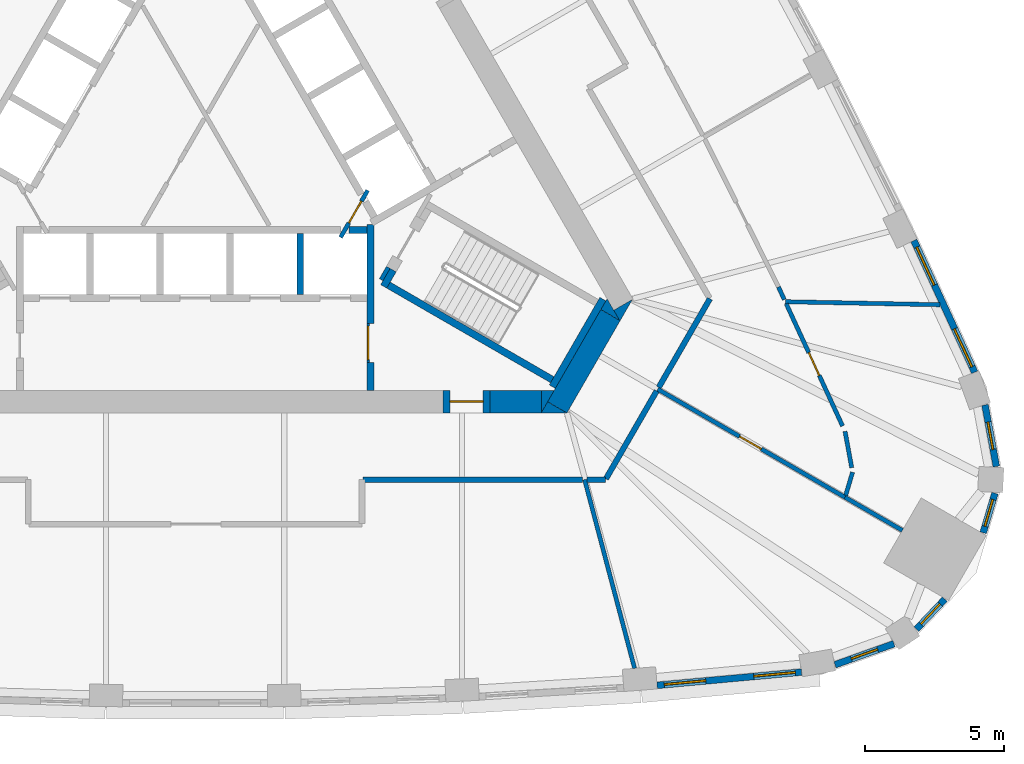
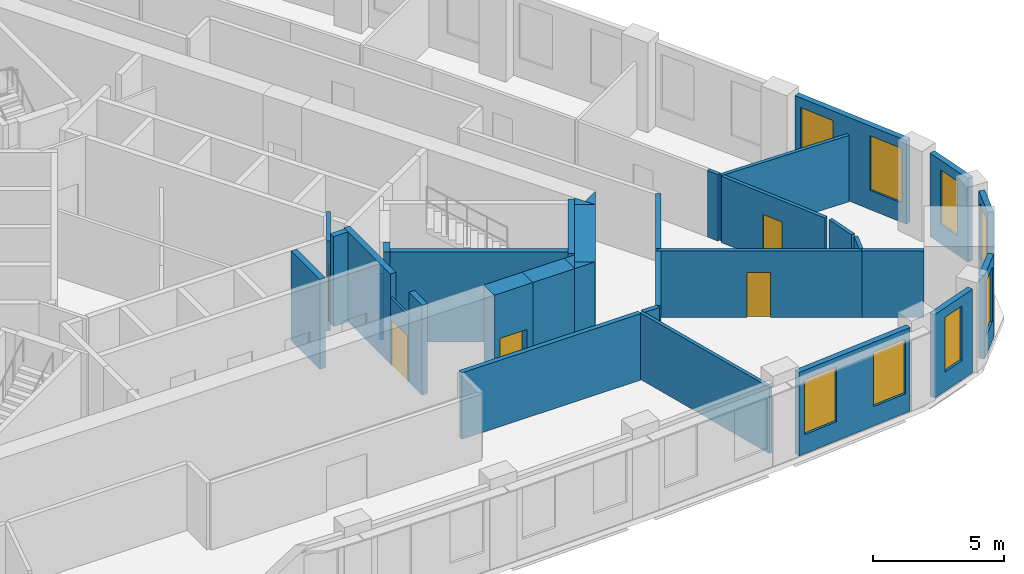
# One storey, part 6 of 10: 35 walls, 8 windows, 5 doors, 13 openings.
"""IFC4 building model written with IfcOpenShell, lengths in metres."""

from ifc_helpers import new_model, si_unit, direction, frame, frame_2d, origin, place, context, subcontext, project, spatial, polyline, rectangle, outline, extrude, material, layer, layer_set, type_object, element, fill, save


model = new_model("IFC4")

# Units and contexts
model_context = context("Model", 3, precision=1e-05, world=origin(), true_north=direction((0.0, 1.0)))
body_context = subcontext(model_context, "Body", "Model", "MODEL_VIEW")
ifc_project = project(units=[si_unit("LENGTHUNIT", "METRE"), si_unit("AREAUNIT", "SQUARE_METRE"), si_unit("VOLUMEUNIT", "CUBIC_METRE"), si_unit("PLANEANGLEUNIT", "RADIAN"), si_unit("MASSUNIT", "GRAM", prefix="KILO")], contexts=[model_context])

# Site, building, storey
site_placement = place(None, origin())
site = spatial("IfcSite", under=ifc_project, at=site_placement, CompositionType="ELEMENT")
building_placement = place(site_placement, origin())
building = spatial("IfcBuilding", under=site, at=building_placement, Name="Mestral Congress Tower", CompositionType="ELEMENT")
storey_placement = place(building_placement, frame((0.0, 0.0, 192.0)))
storey = spatial("IfcBuildingStorey", under=building, at=storey_placement, Name="L45", CompositionType="ELEMENT", Elevation=192.0)

# Wall
ifc_material_1 = material(Name="Fire-rated board partition")
ifc_layer_1 = layer(ifc_material_1, 0.14990234375)
ifc_layer_set_1 = layer_set([ifc_layer_1], Name="Fire-rated board partition")
wall_type_1 = type_object("IfcWallType", Name="Core partition 150", PredefinedType="PARTITIONING", material=ifc_layer_set_1)
wall_1_placement = place(storey_placement, frame((6.94482421875, -5.22216796875, 0.0), z_axis=(0.0, 0.0, 1.0), x_axis=(-0.499818422106, -0.866130212453, 0.0)))
element("IfcWall", 1, at=wall_1_placement, inside=storey, type_object=wall_type_1, Name="L45 core wall", PredefinedType="PARTITIONING", context=body_context, shape_type="SweptSolid", body=[
    extrude(rectangle(XDim=0.513916015625, YDim=0.14990234375, at=frame_2d((0.2568359375, 0.0))), origin(), (0.0, 0.0, 1.0), 3.10009765625),
])

# Wall, opening, door
ifc_layer_2 = layer(ifc_material_1, 0.090087890625)
ifc_layer_set_2 = layer_set([ifc_layer_2], Name="Fire-rated board partition")
wall_type_2 = type_object("IfcWallType", Name="Core partition 150 door-wall 90", PredefinedType="PARTITIONING", material=ifc_layer_set_2)
wall_2_placement = place(storey_placement, frame((6.219970703125, -7.23681640625, 0.0), z_axis=(0.0, 0.0, 1.0), x_axis=(0.0, -1.0, 0.0)))
wall_2 = element("IfcWall", 2, at=wall_2_placement, inside=storey, type_object=wall_type_2, Name="L45 door wall", PredefinedType="PARTITIONING", context=body_context, shape_type="SweptSolid", body=[
    extrude(rectangle(XDim=1.400146484375, YDim=0.090087890625, at=frame_2d((0.7001953125, 0.0))), origin(), (0.0, 0.0, 1.0), 3.10009765625),
])
opening_1_placement = place(wall_2_placement, frame((0.10009765625, 0.0, 0.0)))
opening_1 = element("IfcOpeningElement", 3, at=opening_1_placement, cuts=wall_2, Name="Opening LB0-WL1", PredefinedType="OPENING", context=body_context, shape_type="SweptSolid", body=[
    extrude(rectangle(XDim=1.199951171875, YDim=2.10009765625, at=frame_2d((0.60009765625, 1.050048828125))), frame((0.0, 0.054931640625, 0.0), z_axis=(0.0, -1.0, 0.0), x_axis=(1.0, 0.0, 0.0)), (0.0, 0.0, 1.0), 0.110107421875),
])
ifc_material_2 = material(Name="Fire-rated steel door set", Category="steel")
door_type_1 = type_object("IfcDoorType", Name="Core door LB 1200x2100", OperationType="SINGLE_SWING_LEFT", PredefinedType="DOOR", material=ifc_material_2)
door_1_placement = place(opening_1_placement, origin())
door_1 = element("IfcDoor", 4, at=door_1_placement, inside=storey, type_object=door_type_1, Name="Door LB0-WL1", OperationType="SINGLE_SWING_LEFT", OverallHeight=2.10009765625, OverallWidth=1.199951171875, PredefinedType="DOOR", context=body_context, shape_type="SweptSolid", body=[
    extrude(rectangle(XDim=1.199951171875, YDim=2.10009765625, at=frame_2d((0.60009765625, 1.050048828125))), frame((0.0, 0.02490234375, 0.0), z_axis=(0.0, -1.0, 0.0), x_axis=(1.0, 0.0, 0.0)), (0.0, 0.0, 1.0), 0.050048828125),
])
fill(opening_1, door_1)

# Walls
ifc_material_3 = material(Name="Concrete C60/75", Category="concrete")
ifc_layer_3 = layer(ifc_material_3, 0.800048828125)
ifc_layer_set_3 = layer_set([ifc_layer_3], Name="Concrete C60/75")
wall_type_3 = type_object("IfcWallType", Name="Core wall RC 800", PredefinedType="SOLIDWALL", material=ifc_layer_set_3)
placement = place(storey_placement, origin())
element("IfcWall", 5, at=placement, inside=storey, type_object=wall_type_3, Name="L45 core wall", PredefinedType="SOLIDWALL", context=body_context, shape_type="SweptSolid", body=[
    extrude(outline(polyline([(15.27099609375, -7.14990234375), (15.046875, -6.761962890625), (15.718994140625, -6.3740234375), (15.27099609375, -7.14990234375)])), origin(), (0.0, 0.0, 1.0), 4.199951171875),
])
wall_4_placement = place(storey_placement, frame((13.018310546875, -10.251708984375, 0.0), z_axis=(0.0, 0.0, 1.0), x_axis=(0.499984020225, 0.866034629516, 0.0)))
element("IfcWall", 6, at=wall_4_placement, inside=storey, type_object=wall_type_3, Name="L45 core wall", PredefinedType="SOLIDWALL", context=body_context, shape_type="SweptSolid", body=[
    extrude(rectangle(XDim=3.824462890625, YDim=0.800048828125, at=frame_2d((1.912109375, 0.0))), origin(), (0.0, 0.0, 1.0), 4.199951171875),
])
element("IfcWall", 7, at=placement, inside=storey, type_object=wall_type_3, Name="L45 core wall", PredefinedType="SOLIDWALL", context=body_context, shape_type="SweptSolid", body=[
    extrude(outline(polyline([(12.44189453125, -10.449951171875), (12.6708984375, -10.053466796875), (13.35791015625, -10.449951171875), (12.44189453125, -10.449951171875)])), origin(), (0.0, 0.0, 1.0), 4.199951171875),
])
element("IfcWall", 8, at=placement, inside=storey, type_object=wall_type_3, Name="L45 core wall", PredefinedType="SOLIDWALL", context=body_context, shape_type="SweptSolid", body=[
    extrude(outline(polyline([(14.80908203125, -6.35009765625), (15.257080078125, -7.1259765625), (14.5849609375, -6.738037109375), (14.80908203125, -6.35009765625)])), origin(), (0.0, 0.0, 1.0), 4.199951171875),
])
wall_7_placement = place(storey_placement, frame((10.6044921875, -10.050048828125, 0.0), z_axis=(0.0, 0.0, 1.0), x_axis=(1.0, 0.0, 0.0)))
element("IfcWall", 9, at=wall_7_placement, inside=storey, type_object=wall_type_3, Name="L45 core wall", PredefinedType="SOLIDWALL", context=body_context, shape_type="SweptSolid", body=[
    extrude(rectangle(XDim=1.849365234375, YDim=0.800048828125, at=frame_2d((0.9248046875, 0.0))), origin(), (0.0, 0.0, 1.0), 4.199951171875),
])
element("IfcWall", 10, at=placement, inside=storey, type_object=wall_type_3, Name="L45 core wall", PredefinedType="SOLIDWALL", context=body_context, shape_type="SweptSolid", body=[
    extrude(outline(polyline([(12.90380859375, -9.64990234375), (12.455810546875, -10.42578125), (12.455810546875, -9.64990234375), (12.90380859375, -9.64990234375)])), origin(), (0.0, 0.0, 1.0), 4.199951171875),
])

# Wall, opening, door
wall_9_placement = place(storey_placement, frame((10.6044921875, -10.050048828125, 0.0), z_axis=(0.0, 0.0, 1.0), x_axis=(-1.0, 0.0, 0.0)))
wall_9 = element("IfcWall", 11, at=wall_9_placement, inside=storey, type_object=wall_type_3, Name="L45 door wall", PredefinedType="SOLIDWALL", context=body_context, shape_type="SweptSolid", body=[
    extrude(rectangle(XDim=1.699951171875, YDim=0.800048828125, at=frame_2d((0.85009765625, 0.0))), origin(), (0.0, 0.0, 1.0), 4.199951171875),
])
opening_2_placement = place(wall_9_placement, frame((0.25, 0.0, 0.0)))
opening_2 = element("IfcOpeningElement", 12, at=opening_2_placement, cuts=wall_9, Name="Opening XD1", PredefinedType="OPENING", context=body_context, shape_type="SweptSolid", body=[
    extrude(rectangle(XDim=1.199951171875, YDim=2.10009765625, at=frame_2d((0.60009765625, 1.050048828125))), frame((0.0, 0.409912109375, 0.0), z_axis=(0.0, -1.0, 0.0), x_axis=(1.0, 0.0, 0.0)), (0.0, 0.0, 1.0), 0.820068359375),
])
door_type_2 = type_object("IfcDoorType", Name="Core door XD 1200x2100", OperationType="SINGLE_SWING_LEFT", PredefinedType="DOOR", material=ifc_material_2)
door_2_placement = place(opening_2_placement, origin())
door_2 = element("IfcDoor", 13, at=door_2_placement, inside=storey, type_object=door_type_2, Name="Door XD1", OperationType="SINGLE_SWING_LEFT", OverallHeight=2.10009765625, OverallWidth=1.199951171875, PredefinedType="DOOR", context=body_context, shape_type="SweptSolid", body=[
    extrude(rectangle(XDim=1.199951171875, YDim=2.10009765625, at=frame_2d((0.60009765625, 1.050048828125))), frame((0.0, 0.02490234375, 0.0), z_axis=(0.0, -1.0, 0.0), x_axis=(1.0, 0.0, 0.0)), (0.0, 0.0, 1.0), 0.050048828125),
])
fill(opening_2, door_2)

# Wall, openings, windows
ifc_material_4 = material(Name="Precast concrete C40/50 with limestone facing", Category="masonry")
ifc_layer_4 = layer(ifc_material_4, 0.239990234375)
ifc_layer_set_4 = layer_set([ifc_layer_4], Name="Precast concrete C40/50 with limestone facing")
wall_type_4 = type_object("IfcWallType", Name="Facade stone wall 240", PredefinedType="SOLIDWALL", material=ifc_layer_set_4)
wall_10_placement = place(storey_placement, frame((16.605712890625, -20.24658203125, 0.0), z_axis=(0.0, 0.0, 1.0), x_axis=(0.995808712151, 0.091460422067, 0.0)))
wall_10 = element("IfcWall", 14, at=wall_10_placement, inside=storey, type_object=wall_type_4, Name="Facade wall F0-06", PredefinedType="SOLIDWALL", context=body_context, shape_type="SweptSolid", body=[
    extrude(rectangle(XDim=5.213134765625, YDim=0.239990234375, at=frame_2d((2.6064453125, 0.0))), origin(), (0.0, 0.0, 1.0), 3.89990234375),
])
opening_3_placement = place(wall_10_placement, frame((0.2607421875, 0.0, 0.89990234375)))
opening_3 = element("IfcOpeningElement", 15, at=opening_3_placement, cuts=wall_10, Name="Opening W4", PredefinedType="OPENING", context=body_context, shape_type="SweptSolid", body=[
    extrude(rectangle(XDim=1.5, YDim=2.550048828125, at=frame_2d((0.75, 1.27490234375))), frame((0.0, 0.1298828125, 0.0), z_axis=(0.0, -1.0, 0.0), x_axis=(1.0, 0.0, 0.0)), (0.0, 0.0, 1.0), 0.260009765625),
])
opening_4_placement = place(wall_10_placement, frame((3.492431640625, 0.0, 0.89990234375)))
opening_4 = element("IfcOpeningElement", 16, at=opening_4_placement, cuts=wall_10, Name="Opening W4", PredefinedType="OPENING", context=body_context, shape_type="SweptSolid", body=[
    extrude(rectangle(XDim=1.5, YDim=2.550048828125, at=frame_2d((0.75, 1.27490234375))), frame((0.0, 0.1298828125, 0.0), z_axis=(0.0, -1.0, 0.0), x_axis=(1.0, 0.0, 0.0)), (0.0, 0.0, 1.0), 0.260009765625),
])
ifc_material_5 = material(Name="Clear low-emissivity double glazing", Category="glass")
window_type_1 = type_object("IfcWindowType", Name="Facade punched window 1500 x 2550 sill 900", PartitioningType="SINGLE_PANEL", PredefinedType="WINDOW", material=ifc_material_5)
window_1_placement = place(opening_3_placement, origin())
window_1 = element("IfcWindow", 17, at=window_1_placement, inside=storey, type_object=window_type_1, Name="Window F0-06a", OverallHeight=2.550048828125, OverallWidth=1.5, PartitioningType="SINGLE_PANEL", PredefinedType="WINDOW", context=body_context, shape_type="SweptSolid", body=[
    extrude(rectangle(XDim=1.5, YDim=2.550048828125, at=frame_2d((0.75, 1.27490234375))), frame((0.0, 0.0400390625, 0.0), z_axis=(0.0, -1.0, 0.0), x_axis=(1.0, 0.0, 0.0)), (0.0, 0.0, 1.0), 0.06005859375),
])
fill(opening_3, window_1)
window_2_placement = place(opening_4_placement, origin())
window_2 = element("IfcWindow", 18, at=window_2_placement, inside=storey, type_object=window_type_1, Name="Window F0-06b", OverallHeight=2.550048828125, OverallWidth=1.5, PartitioningType="SINGLE_PANEL", PredefinedType="WINDOW", context=body_context, shape_type="SweptSolid", body=[
    extrude(rectangle(XDim=1.5, YDim=2.550048828125, at=frame_2d((0.75, 1.27490234375))), frame((0.0, 0.0400390625, 0.0), z_axis=(0.0, -1.0, 0.0), x_axis=(1.0, 0.0, 0.0)), (0.0, 0.0, 1.0), 0.06005859375),
])
fill(opening_4, window_2)

# Wall, opening, window
wall_11_placement = place(storey_placement, frame((23.0009765625, -19.50537109375, 0.0), z_axis=(0.0, 0.0, 1.0), x_axis=(0.942099727267, 0.335332825539, 0.0)))
wall_11 = element("IfcWall", 19, at=wall_11_placement, inside=storey, type_object=wall_type_4, Name="Facade wall K0-0", PredefinedType="SOLIDWALL", context=body_context, shape_type="SweptSolid", body=[
    extrude(rectangle(XDim=2.25048828125, YDim=0.239990234375, at=frame_2d((1.125244140625, 0.0))), origin(), (0.0, 0.0, 1.0), 3.89990234375),
])
opening_5_placement = place(wall_11_placement, frame((0.625244140625, 0.0, 0.89990234375)))
opening_5 = element("IfcOpeningElement", 20, at=opening_5_placement, cuts=wall_11, Name="Opening W5", PredefinedType="OPENING", context=body_context, shape_type="SweptSolid", body=[
    extrude(rectangle(XDim=1.0, YDim=2.550048828125, at=frame_2d((0.5, 1.27490234375))), frame((0.0, 0.1298828125, 0.0), z_axis=(0.0, -1.0, 0.0), x_axis=(1.0, 0.0, 0.0)), (0.0, 0.0, 1.0), 0.260009765625),
])
window_type_2 = type_object("IfcWindowType", Name="Facade punched window 1000 x 2550 sill 900", PartitioningType="SINGLE_PANEL", PredefinedType="WINDOW", material=ifc_material_5)
window_3_placement = place(opening_5_placement, origin())
window_3 = element("IfcWindow", 21, at=window_3_placement, inside=storey, type_object=window_type_2, Name="Window K0-0", OverallHeight=2.550048828125, OverallWidth=1.0, PartitioningType="SINGLE_PANEL", PredefinedType="WINDOW", context=body_context, shape_type="SweptSolid", body=[
    extrude(rectangle(XDim=1.0, YDim=2.550048828125, at=frame_2d((0.5, 1.27490234375))), frame((0.0, 0.0400390625, 0.0), z_axis=(0.0, -1.0, 0.0), x_axis=(1.0, 0.0, 0.0)), (0.0, 0.0, 1.0), 0.06005859375),
])
fill(opening_5, window_3)

wall_12_placement = place(storey_placement, frame((25.9267578125, -18.226318359375, 0.0), z_axis=(0.0, 0.0, 1.0), x_axis=(0.687986858937, 0.725723144133, 0.0)))
wall_12 = element("IfcWall", 22, at=wall_12_placement, inside=storey, type_object=wall_type_4, Name="Facade wall K0-1", PredefinedType="SOLIDWALL", context=body_context, shape_type="SweptSolid", body=[
    extrude(rectangle(XDim=1.4814453125, YDim=0.239990234375, at=frame_2d((0.74072265625, 0.0))), origin(), (0.0, 0.0, 1.0), 3.89990234375),
])
opening_6_placement = place(wall_12_placement, frame((0.24072265625, 0.0, 0.89990234375)))
opening_6 = element("IfcOpeningElement", 23, at=opening_6_placement, cuts=wall_12, Name="Opening W5", PredefinedType="OPENING", context=body_context, shape_type="SweptSolid", body=[
    extrude(rectangle(XDim=1.0, YDim=2.550048828125, at=frame_2d((0.5, 1.27490234375))), frame((0.0, 0.1298828125, 0.0), z_axis=(0.0, -1.0, 0.0), x_axis=(1.0, 0.0, 0.0)), (0.0, 0.0, 1.0), 0.260009765625),
])
window_4_placement = place(opening_6_placement, origin())
window_4 = element("IfcWindow", 24, at=window_4_placement, inside=storey, type_object=window_type_2, Name="Window K0-1", OverallHeight=2.550048828125, OverallWidth=1.0, PartitioningType="SINGLE_PANEL", PredefinedType="WINDOW", context=body_context, shape_type="SweptSolid", body=[
    extrude(rectangle(XDim=1.0, YDim=2.550048828125, at=frame_2d((0.5, 1.27490234375))), frame((0.0, 0.0400390625, 0.0), z_axis=(0.0, -1.0, 0.0), x_axis=(1.0, 0.0, 0.0)), (0.0, 0.0, 1.0), 0.06005859375),
])
fill(opening_6, window_4)

wall_13_placement = place(storey_placement, frame((28.326416015625, -14.760498046875, 0.0), z_axis=(0.0, 0.0, 1.0), x_axis=(0.284413721403, 0.958701640281, 0.0)))
wall_13 = element("IfcWall", 25, at=wall_13_placement, inside=storey, type_object=wall_type_4, Name="Facade wall K0-2", PredefinedType="SOLIDWALL", context=body_context, shape_type="SweptSolid", body=[
    extrude(rectangle(XDim=1.481689453125, YDim=0.239990234375, at=frame_2d((0.74072265625, 0.0))), origin(), (0.0, 0.0, 1.0), 3.89990234375),
])
opening_7_placement = place(wall_13_placement, frame((0.24072265625, 0.0, 0.89990234375)))
opening_7 = element("IfcOpeningElement", 26, at=opening_7_placement, cuts=wall_13, Name="Opening W5", PredefinedType="OPENING", context=body_context, shape_type="SweptSolid", body=[
    extrude(rectangle(XDim=1.0, YDim=2.550048828125, at=frame_2d((0.5, 1.27490234375))), frame((0.0, 0.1298828125, 0.0), z_axis=(0.0, -1.0, 0.0), x_axis=(1.0, 0.0, 0.0)), (0.0, 0.0, 1.0), 0.260009765625),
])
window_5_placement = place(opening_7_placement, origin())
window_5 = element("IfcWindow", 27, at=window_5_placement, inside=storey, type_object=window_type_2, Name="Window K0-2", OverallHeight=2.550048828125, OverallWidth=1.0, PartitioningType="SINGLE_PANEL", PredefinedType="WINDOW", context=body_context, shape_type="SweptSolid", body=[
    extrude(rectangle(XDim=1.0, YDim=2.550048828125, at=frame_2d((0.5, 1.27490234375))), frame((0.0, 0.0400390625, 0.0), z_axis=(0.0, -1.0, 0.0), x_axis=(1.0, 0.0, 0.0)), (0.0, 0.0, 1.0), 0.06005859375),
])
fill(opening_7, window_5)

wall_14_placement = place(storey_placement, frame((28.79931640625, -12.380126953125, 0.0), z_axis=(0.0, 0.0, 1.0), x_axis=(-0.180737189259, 0.983531427265, 0.0)))
wall_14 = element("IfcWall", 28, at=wall_14_placement, inside=storey, type_object=wall_type_4, Name="Facade wall K0-3", PredefinedType="SOLIDWALL", context=body_context, shape_type="SweptSolid", body=[
    extrude(rectangle(XDim=2.25048828125, YDim=0.239990234375, at=frame_2d((1.125244140625, 0.0))), origin(), (0.0, 0.0, 1.0), 3.89990234375),
])
opening_8_placement = place(wall_14_placement, frame((0.625244140625, 0.0, 0.89990234375)))
opening_8 = element("IfcOpeningElement", 29, at=opening_8_placement, cuts=wall_14, Name="Opening W5", PredefinedType="OPENING", context=body_context, shape_type="SweptSolid", body=[
    extrude(rectangle(XDim=1.0, YDim=2.550048828125, at=frame_2d((0.5, 1.27490234375))), frame((0.0, 0.1298828125, 0.0), z_axis=(0.0, -1.0, 0.0), x_axis=(1.0, 0.0, 0.0)), (0.0, 0.0, 1.0), 0.260009765625),
])
window_6_placement = place(opening_8_placement, origin())
window_6 = element("IfcWindow", 30, at=window_6_placement, inside=storey, type_object=window_type_2, Name="Window K0-3", OverallHeight=2.550048828125, OverallWidth=1.0, PartitioningType="SINGLE_PANEL", PredefinedType="WINDOW", context=body_context, shape_type="SweptSolid", body=[
    extrude(rectangle(XDim=1.0, YDim=2.550048828125, at=frame_2d((0.5, 1.27490234375))), frame((0.0, 0.0400390625, 0.0), z_axis=(0.0, -1.0, 0.0), x_axis=(1.0, 0.0, 0.0)), (0.0, 0.0, 1.0), 0.06005859375),
])
fill(opening_8, window_6)

# Wall, openings, windows
wall_15_placement = place(storey_placement, frame((28.019775390625, -8.991943359375, 0.0), z_axis=(0.0, 0.0, 1.0), x_axis=(-0.418722559465, 0.908114209885, 0.0)))
wall_15 = element("IfcWall", 31, at=wall_15_placement, inside=storey, type_object=wall_type_4, Name="Facade wall F1-00", PredefinedType="SOLIDWALL", context=body_context, shape_type="SweptSolid", body=[
    extrude(rectangle(XDim=5.213134765625, YDim=0.239990234375, at=frame_2d((2.6064453125, 0.0))), origin(), (0.0, 0.0, 1.0), 3.89990234375),
])
opening_9_placement = place(wall_15_placement, frame((0.220947265625, 0.0, 0.89990234375)))
opening_9 = element("IfcOpeningElement", 32, at=opening_9_placement, cuts=wall_15, Name="Opening W4", PredefinedType="OPENING", context=body_context, shape_type="SweptSolid", body=[
    extrude(rectangle(XDim=1.5, YDim=2.550048828125, at=frame_2d((0.75, 1.27490234375))), frame((0.0, 0.1298828125, 0.0), z_axis=(0.0, -1.0, 0.0), x_axis=(1.0, 0.0, 0.0)), (0.0, 0.0, 1.0), 0.260009765625),
])
opening_10_placement = place(wall_15_placement, frame((3.452392578125, 0.0, 0.89990234375)))
opening_10 = element("IfcOpeningElement", 33, at=opening_10_placement, cuts=wall_15, Name="Opening W4", PredefinedType="OPENING", context=body_context, shape_type="SweptSolid", body=[
    extrude(rectangle(XDim=1.5, YDim=2.550048828125, at=frame_2d((0.75, 1.27490234375))), frame((0.0, 0.1298828125, 0.0), z_axis=(0.0, -1.0, 0.0), x_axis=(1.0, 0.0, 0.0)), (0.0, 0.0, 1.0), 0.260009765625),
])
window_7_placement = place(opening_9_placement, origin())
window_7 = element("IfcWindow", 34, at=window_7_placement, inside=storey, type_object=window_type_1, Name="Window F1-00a", OverallHeight=2.550048828125, OverallWidth=1.5, PartitioningType="SINGLE_PANEL", PredefinedType="WINDOW", context=body_context, shape_type="SweptSolid", body=[
    extrude(rectangle(XDim=1.5, YDim=2.550048828125, at=frame_2d((0.75, 1.27490234375))), frame((0.0, 0.0400390625, 0.0), z_axis=(0.0, -1.0, 0.0), x_axis=(1.0, 0.0, 0.0)), (0.0, 0.0, 1.0), 0.06005859375),
])
fill(opening_9, window_7)
window_8_placement = place(opening_10_placement, origin())
window_8 = element("IfcWindow", 35, at=window_8_placement, inside=storey, type_object=window_type_1, Name="Window F1-00b", OverallHeight=2.550048828125, OverallWidth=1.5, PartitioningType="SINGLE_PANEL", PredefinedType="WINDOW", context=body_context, shape_type="SweptSolid", body=[
    extrude(rectangle(XDim=1.5, YDim=2.550048828125, at=frame_2d((0.75, 1.27490234375))), frame((0.0, 0.0400390625, 0.0), z_axis=(0.0, -1.0, 0.0), x_axis=(1.0, 0.0, 0.0)), (0.0, 0.0, 1.0), 0.06005859375),
])
fill(opening_10, window_8)

# Walls
ifc_material_6 = material(Name="Plasterboard partition on steel studs", Category="steel")
ifc_layer_5 = layer(ifc_material_6, 0.14990234375)
ifc_layer_set_5 = layer_set([ifc_layer_5], Name="Plasterboard partition on steel studs")
wall_type_5 = type_object("IfcWallType", Name="Office partition 150", PredefinedType="PARTITIONING", material=ifc_layer_set_5)
wall_16_placement = place(storey_placement, frame((14.001220703125, -12.85009765625, 0.0), z_axis=(0.0, 0.0, 1.0), x_axis=(0.255926020624, -0.966696370102, 0.0)))
element("IfcWall", 36, at=wall_16_placement, inside=storey, type_object=wall_type_5, Name="Partition", PredefinedType="PARTITIONING", context=body_context, shape_type="SweptSolid", body=[
    extrude(rectangle(XDim=7.01904296875, YDim=0.14990234375, at=frame_2d((3.509521484375, 0.0))), origin(), (0.0, 0.0, 1.0), 3.10009765625),
])
wall_17_placement = place(storey_placement, frame((23.359619140625, -13.486572265625, 0.0), z_axis=(0.0, 0.0, 1.0), x_axis=(0.866013104554, -0.500021302286, 0.0)))
element("IfcWall", 37, at=wall_17_placement, inside=storey, type_object=wall_type_5, Name="Partition", PredefinedType="PARTITIONING", context=body_context, shape_type="SweptSolid", body=[
    extrude(rectangle(XDim=2.380859375, YDim=0.14990234375, at=frame_2d((1.1904296875, 0.0))), origin(), (0.0, 0.0, 1.0), 3.10009765625),
])

# Wall, opening, door
wall_18_placement = place(storey_placement, frame((23.366455078125, -13.49072265625, 0.0), z_axis=(0.0, 0.0, 1.0), x_axis=(-0.866025704444, 0.499999479242, 0.0)))
wall_18 = element("IfcWall", 38, at=wall_18_placement, inside=storey, type_object=wall_type_5, Name="Partition", PredefinedType="PARTITIONING", context=body_context, shape_type="SweptSolid", body=[
    extrude(rectangle(XDim=7.78125, YDim=0.14990234375, at=frame_2d((3.890625, 0.0))), origin(), (0.0, 0.0, 1.0), 3.10009765625),
])
opening_11_placement = place(wall_18_placement, frame((3.481201171875, 0.0, 0.0)))
opening_11 = element("IfcOpeningElement", 39, at=opening_11_placement, cuts=wall_18, Name="Opening O05-002", PredefinedType="OPENING", context=body_context, shape_type="SweptSolid", body=[
    extrude(rectangle(XDim=0.89990234375, YDim=2.10009765625, at=frame_2d((0.449951171875, 1.050048828125))), frame((0.0, 0.0849609375, 0.0), z_axis=(0.0, -1.0, 0.0), x_axis=(1.0, 0.0, 0.0)), (0.0, 0.0, 1.0), 0.169921875),
])
ifc_material_7 = material(Name="Timber door set", Category="wood")
door_type_3 = type_object("IfcDoorType", Name="Office door 900x2100", OperationType="SINGLE_SWING_LEFT", PredefinedType="DOOR", material=ifc_material_7)
door_3_placement = place(opening_11_placement, origin())
door_3 = element("IfcDoor", 40, at=door_3_placement, inside=storey, type_object=door_type_3, Name="Door O05-002", OperationType="SINGLE_SWING_RIGHT", OverallHeight=2.10009765625, OverallWidth=0.89990234375, PredefinedType="DOOR", context=body_context, shape_type="SweptSolid", body=[
    extrude(rectangle(XDim=0.89990234375, YDim=2.10009765625, at=frame_2d((0.449951171875, 1.050048828125))), frame((0.0, 0.02490234375, 0.0), z_axis=(0.0, -1.0, 0.0), x_axis=(1.0, 0.0, 0.0)), (0.0, 0.0, 1.0), 0.050048828125),
])
fill(opening_11, door_3)

# Walls
wall_19_placement = place(storey_placement, frame((21.212890625, -6.45703125, 0.0), z_axis=(0.0, 0.0, 1.0), x_axis=(0.9998097249, -0.019506767933, 0.0)))
element("IfcWall", 41, at=wall_19_placement, inside=storey, type_object=wall_type_5, Name="Partition", PredefinedType="PARTITIONING", context=body_context, shape_type="SweptSolid", body=[
    extrude(rectangle(XDim=5.556884765625, YDim=0.14990234375, at=frame_2d((2.7783203125, 0.0))), origin(), (0.0, 0.0, 1.0), 3.10009765625),
])
wall_20_placement = place(storey_placement, frame((23.385009765625, -13.414794921875, 0.0), z_axis=(0.0, 0.0, 1.0), x_axis=(0.28439571453, 0.958706982116, 0.0)))
element("IfcWall", 42, at=wall_20_placement, inside=storey, type_object=wall_type_5, Name="Partition", PredefinedType="PARTITIONING", context=body_context, shape_type="SweptSolid", body=[
    extrude(rectangle(XDim=0.865234375, YDim=0.14990234375, at=frame_2d((0.4326171875, 0.0))), origin(), (0.0, 0.0, 1.0), 3.10009765625),
])
wall_21_placement = place(storey_placement, frame((23.601318359375, -12.42236328125, 0.0), z_axis=(0.0, 0.0, 1.0), x_axis=(-0.180633363018, 0.983550501075, 0.0)))
element("IfcWall", 43, at=wall_21_placement, inside=storey, type_object=wall_type_5, Name="Partition", PredefinedType="PARTITIONING", context=body_context, shape_type="SweptSolid", body=[
    extrude(rectangle(XDim=1.3271484375, YDim=0.14990234375, at=frame_2d((0.66357421875, 0.0))), origin(), (0.0, 0.0, 1.0), 3.10009765625),
])

# Wall, opening, door
wall_22_placement = place(storey_placement, frame((21.247802734375, -6.53271484375, 0.0), z_axis=(0.0, 0.0, 1.0), x_axis=(0.418705826438, -0.908121925133, 0.0)))
wall_22 = element("IfcWall", 44, at=wall_22_placement, inside=storey, type_object=wall_type_5, Name="Partition", PredefinedType="PARTITIONING", context=body_context, shape_type="SweptSolid", body=[
    extrude(rectangle(XDim=4.833740234375, YDim=0.14990234375, at=frame_2d((2.4169921875, 0.0))), origin(), (0.0, 0.0, 1.0), 3.10009765625),
])
opening_12_placement = place(wall_22_placement, frame((1.933837890625, 0.0, 0.0)))
opening_12 = element("IfcOpeningElement", 45, at=opening_12_placement, cuts=wall_22, Name="Opening O05-004", PredefinedType="OPENING", context=body_context, shape_type="SweptSolid", body=[
    extrude(rectangle(XDim=0.89990234375, YDim=2.10009765625, at=frame_2d((0.449951171875, 1.050048828125))), frame((0.0, 0.0849609375, 0.0), z_axis=(0.0, -1.0, 0.0), x_axis=(1.0, 0.0, 0.0)), (0.0, 0.0, 1.0), 0.169921875),
])
door_4_placement = place(opening_12_placement, origin())
door_4 = element("IfcDoor", 46, at=door_4_placement, inside=storey, type_object=door_type_3, Name="Door O05-004", OperationType="SINGLE_SWING_LEFT", OverallHeight=2.10009765625, OverallWidth=0.89990234375, PredefinedType="DOOR", context=body_context, shape_type="SweptSolid", body=[
    extrude(rectangle(XDim=0.89990234375, YDim=2.10009765625, at=frame_2d((0.449951171875, 1.050048828125))), frame((0.0, 0.02490234375, 0.0), z_axis=(0.0, -1.0, 0.0), x_axis=(1.0, 0.0, 0.0)), (0.0, 0.0, 1.0), 0.050048828125),
])
fill(opening_12, door_4)

# Walls
wall_23_placement = place(storey_placement, frame((21.177978515625, -6.38134765625, 0.0), z_axis=(0.0, 0.0, 1.0), x_axis=(-0.418595665074, 0.908172708895, 0.0)))
element("IfcWall", 47, at=wall_23_placement, inside=storey, type_object=wall_type_5, Name="Partition", PredefinedType="PARTITIONING", context=body_context, shape_type="SweptSolid", body=[
    extrude(rectangle(XDim=0.502197265625, YDim=0.14990234375, at=frame_2d((0.2509765625, 0.0))), origin(), (0.0, 0.0, 1.0), 3.10009765625),
])
ifc_material_8 = material(Name="Dense masonry wall, plastered", Category="masonry")
ifc_layer_6 = layer(ifc_material_8, 0.199951171875)
ifc_layer_set_6 = layer_set([ifc_layer_6], Name="Dense masonry wall, plastered")
wall_type_6 = type_object("IfcWallType", Name="Office tenancy wall 200", PredefinedType="PARTITIONING", material=ifc_layer_set_6)
wall_24_placement = place(storey_placement, frame((6.030029296875, -12.85009765625, 0.0), z_axis=(0.0, 0.0, 1.0), x_axis=(1.0, 0.0, 0.0)))
element("IfcWall", 48, at=wall_24_placement, inside=storey, type_object=wall_type_6, Name="Tenancy wall", PredefinedType="PARTITIONING", context=body_context, shape_type="SweptSolid", body=[
    extrude(rectangle(XDim=7.8935546875, YDim=0.199951171875, at=frame_2d((3.94677734375, 0.0))), origin(), (0.0, 0.0, 1.0), 3.10009765625),
])
wall_25_placement = place(storey_placement, frame((14.07861328125, -12.85009765625, 0.0), z_axis=(0.0, 0.0, 1.0), x_axis=(1.0, 0.0, 0.0)))
element("IfcWall", 49, at=wall_25_placement, inside=storey, type_object=wall_type_6, Name="Tenancy wall", PredefinedType="PARTITIONING", context=body_context, shape_type="SweptSolid", body=[
    extrude(rectangle(XDim=0.672607421875, YDim=0.199951171875, at=frame_2d((0.33642578125, 0.0))), origin(), (0.0, 0.0, 1.0), 3.10009765625),
])
wall_26_placement = place(storey_placement, frame((14.766357421875, -12.823974609375, 0.0), z_axis=(0.0, 0.0, 1.0), x_axis=(0.499983176524, 0.866035116605, 0.0)))
element("IfcWall", 50, at=wall_26_placement, inside=storey, type_object=wall_type_6, Name="Tenancy wall", PredefinedType="PARTITIONING", context=body_context, shape_type="SweptSolid", body=[
    extrude(rectangle(XDim=3.647705078125, YDim=0.199951171875, at=frame_2d((1.82373046875, 0.0))), origin(), (0.0, 0.0, 1.0), 3.10009765625),
])
wall_27_placement = place(storey_placement, frame((16.665283203125, -9.53515625, 0.0), z_axis=(0.0, 0.0, 1.0), x_axis=(0.499994443168, 0.866028611999, 0.0)))
element("IfcWall", 51, at=wall_27_placement, inside=storey, type_object=wall_type_6, Name="Tenancy wall", PredefinedType="PARTITIONING", context=body_context, shape_type="SweptSolid", body=[
    extrude(rectangle(XDim=3.677734375, YDim=0.199951171875, at=frame_2d((1.8388671875, 0.0))), origin(), (0.0, 0.0, 1.0), 3.10009765625),
])
ifc_layer_7 = layer(ifc_material_3, 0.25)
ifc_layer_set_7 = layer_set([ifc_layer_7], Name="Concrete C60/75")
wall_type_7 = type_object("IfcWallType", Name="Shaft wall RC 250", PredefinedType="SOLIDWALL", material=ifc_layer_set_7)
wall_28_placement = place(storey_placement, frame((3.780029296875, -4.0, 0.0), z_axis=(0.0, 0.0, 1.0), x_axis=(0.0, -1.0, 0.0)))
element("IfcWall", 52, at=wall_28_placement, inside=storey, type_object=wall_type_7, Name="L45 core wall", PredefinedType="SOLIDWALL", context=body_context, shape_type="SweptSolid", body=[
    extrude(rectangle(XDim=2.199951171875, YDim=0.25, at=frame_2d((1.10009765625, 0.0))), origin(), (0.0, 0.0, 1.0), 4.199951171875),
])
wall_29_placement = place(storey_placement, frame((6.300048828125, -7.239990234375, 0.0), z_axis=(0.0, 0.0, 1.0), x_axis=(0.0, 1.0, 0.0)))
element("IfcWall", 53, at=wall_29_placement, inside=storey, type_object=wall_type_7, Name="L45 core wall", PredefinedType="SOLIDWALL", context=body_context, shape_type="SweptSolid", body=[
    extrude(rectangle(XDim=3.55615234375, YDim=0.25, at=frame_2d((1.778076171875, 0.0))), origin(), (0.0, 0.0, 1.0), 4.199951171875),
])
wall_30_placement = place(storey_placement, frame((6.300048828125, -9.64990234375, 0.0), z_axis=(0.0, 0.0, 1.0), x_axis=(0.0, 1.0, 0.0)))
element("IfcWall", 54, at=wall_30_placement, inside=storey, type_object=wall_type_7, Name="L45 core wall", PredefinedType="SOLIDWALL", context=body_context, shape_type="SweptSolid", body=[
    extrude(rectangle(XDim=1.0078125, YDim=0.25, at=frame_2d((0.50390625, 0.0))), origin(), (0.0, 0.0, 1.0), 4.199951171875),
])
wall_31_placement = place(storey_placement, frame((5.538330078125, -3.875, 0.0), z_axis=(0.0, 0.0, 1.0), x_axis=(1.0, 0.0, 0.0)))
element("IfcWall", 55, at=wall_31_placement, inside=storey, type_object=wall_type_7, Name="L45 core wall", PredefinedType="SOLIDWALL", context=body_context, shape_type="SweptSolid", body=[
    extrude(rectangle(XDim=0.63671875, YDim=0.25, at=frame_2d((0.318359375, 0.0))), origin(), (0.0, 0.0, 1.0), 4.199951171875),
])

# Wall, opening, door
ifc_layer_8 = layer(ifc_material_3, 0.14990234375)
ifc_layer_set_8 = layer_set([ifc_layer_8], Name="Concrete C60/75")
wall_type_8 = type_object("IfcWallType", Name="Shaft wall RC 250 door-wall 150", PredefinedType="SOLIDWALL", material=ifc_layer_set_8)
wall_32_placement = place(storey_placement, frame((6.203369140625, -2.45556640625, 0.0), z_axis=(0.0, 0.0, 1.0), x_axis=(-0.500043961785, -0.866000020948, 0.0)))
wall_32 = element("IfcWall", 56, at=wall_32_placement, inside=storey, type_object=wall_type_8, Name="L45 door wall", PredefinedType="PARTITIONING", context=body_context, shape_type="SweptSolid", body=[
    extrude(rectangle(XDim=1.949951171875, YDim=0.14990234375, at=frame_2d((0.97509765625, 0.0))), origin(), (0.0, 0.0, 1.0), 4.199951171875),
])
opening_13_placement = place(wall_32_placement, frame((0.449951171875, 0.0, 0.0)))
opening_13 = element("IfcOpeningElement", 57, at=opening_13_placement, cuts=wall_32, Name="Opening CD1-HUB0", PredefinedType="OPENING", context=body_context, shape_type="SweptSolid", body=[
    extrude(rectangle(XDim=0.89990234375, YDim=2.10009765625, at=frame_2d((0.449951171875, 1.050048828125))), frame((0.0, 0.0849609375, 0.0), z_axis=(0.0, -1.0, 0.0), x_axis=(1.0, 0.0, 0.0)), (0.0, 0.0, 1.0), 0.169921875),
])
door_type_4 = type_object("IfcDoorType", Name="Core door CD 900x2100", OperationType="SINGLE_SWING_LEFT", PredefinedType="DOOR", material=ifc_material_2)
door_5_placement = place(opening_13_placement, origin())
door_5 = element("IfcDoor", 58, at=door_5_placement, inside=storey, type_object=door_type_4, Name="Door CD1-HUB0", OperationType="SINGLE_SWING_LEFT", OverallHeight=2.10009765625, OverallWidth=0.89990234375, PredefinedType="DOOR", context=body_context, shape_type="SweptSolid", body=[
    extrude(rectangle(XDim=0.89990234375, YDim=2.10009765625, at=frame_2d((0.449951171875, 1.050048828125))), frame((0.0, 0.02490234375, 0.0), z_axis=(0.0, -1.0, 0.0), x_axis=(1.0, 0.0, 0.0)), (0.0, 0.0, 1.0), 0.050048828125),
])
fill(opening_13, door_5)

# Walls
ifc_layer_9 = layer(ifc_material_3, 0.25)
ifc_layer_set_9 = layer_set([ifc_layer_9], Name="Concrete C60/75")
wall_type_9 = type_object("IfcWallType", Name="Stair wall RC 250", PredefinedType="SOLIDWALL", material=ifc_layer_set_9)
wall_33_placement = place(storey_placement, frame((12.839599609375, -9.510986328125, 0.0), z_axis=(0.0, 0.0, 1.0), x_axis=(0.499997733992, 0.866026712061, 0.0)))
element("IfcWall", 59, at=wall_33_placement, inside=storey, type_object=wall_type_9, Name="L45 core wall", PredefinedType="SOLIDWALL", context=body_context, shape_type="SweptSolid", body=[
    extrude(rectangle(XDim=3.6337890625, YDim=0.25, at=frame_2d((1.81689453125, 0.0))), origin(), (0.0, 0.0, 1.0), 4.199951171875),
])
wall_34_placement = place(storey_placement, frame((12.83984375, -9.2607421875, 0.0), z_axis=(0.0, 0.0, 1.0), x_axis=(-0.866013990052, 0.500019768644, 0.0)))
element("IfcWall", 60, at=wall_34_placement, inside=storey, type_object=wall_type_9, Name="L45 core wall", PredefinedType="SOLIDWALL", context=body_context, shape_type="SweptSolid", body=[
    extrude(rectangle(XDim=6.800048828125, YDim=0.25, at=frame_2d((3.39990234375, 0.0))), origin(), (0.0, 0.0, 1.0), 4.199951171875),
])
wall_35_placement = place(storey_placement, frame((6.780029296875, -5.906494140625, 0.0), z_axis=(0.0, 0.0, 1.0), x_axis=(0.500223362819, 0.865896406789, 0.0)))
element("IfcWall", 61, at=wall_35_placement, inside=storey, type_object=wall_type_9, Name="L45 core wall", PredefinedType="SOLIDWALL", context=body_context, shape_type="SweptSolid", body=[
    extrude(rectangle(XDim=0.675048828125, YDim=0.25, at=frame_2d((0.33740234375, 0.0))), origin(), (0.0, 0.0, 1.0), 4.199951171875),
])

save(model, "model.ifc")
